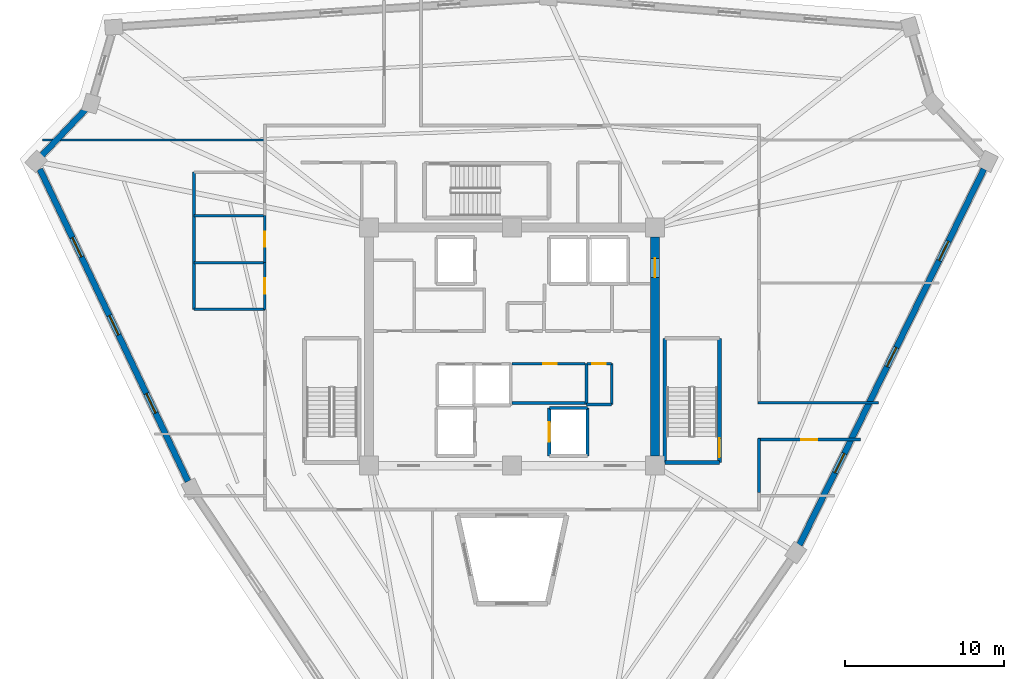
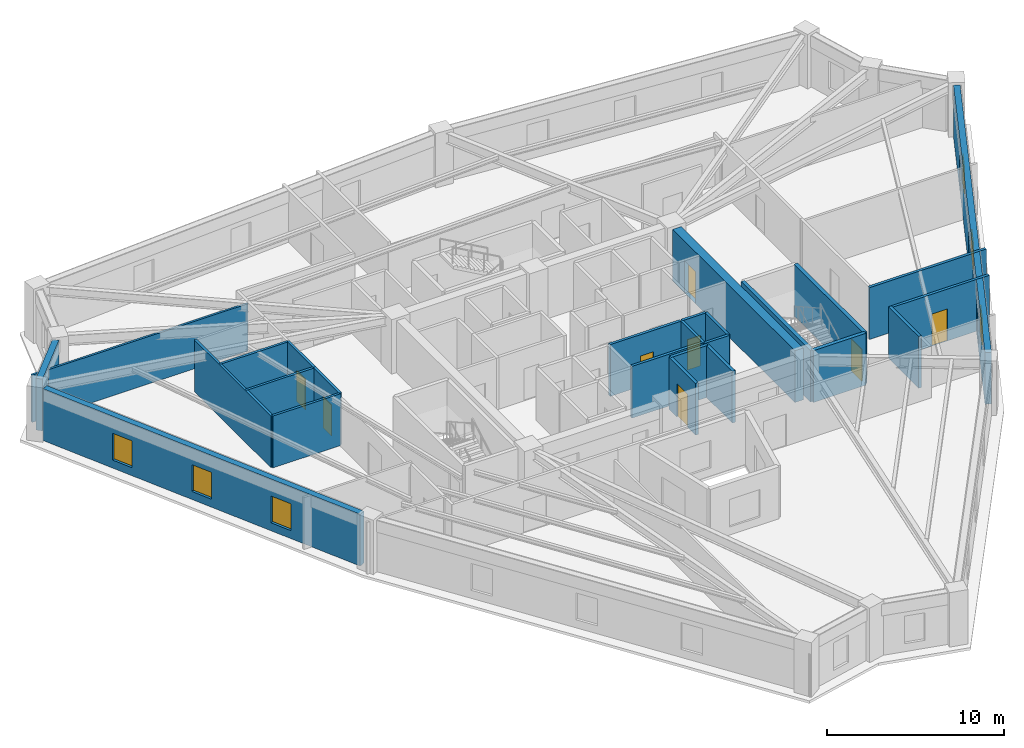
# One storey, part 4 of 8: 26 walls, 8 doors, 6 windows, 14 openings.
"""IFC4 building model written with IfcOpenShell, lengths in metres."""

from ifc_helpers import new_model, si_unit, direction, frame, frame_2d, origin, place, context, subcontext, project, spatial, rectangle, extrude, source, transform, mapped, material, layer, layer_set, type_object, element, fill, save


model = new_model("IFC4")

# Units and contexts
model_context = context("Model", 3, precision=1e-05, world=origin(), true_north=direction((0.0, 1.0)))
body_context = subcontext(model_context, "Body", "Model", "MODEL_VIEW")
ifc_project = project(units=[si_unit("LENGTHUNIT", "METRE"), si_unit("AREAUNIT", "SQUARE_METRE"), si_unit("VOLUMEUNIT", "CUBIC_METRE"), si_unit("PLANEANGLEUNIT", "RADIAN"), si_unit("MASSUNIT", "GRAM", prefix="KILO")], contexts=[model_context])

# Site, building, storey
site_placement = place(None, origin())
site = spatial("IfcSite", under=ifc_project, at=site_placement, CompositionType="ELEMENT")
building_placement = place(site_placement, origin())
building = spatial("IfcBuilding", under=site, at=building_placement, Name="Liaohun Quay Tower", CompositionType="ELEMENT")
storey_placement = place(building_placement, frame((0.0, 0.0, 312.75)))
storey = spatial("IfcBuildingStorey", under=building, at=storey_placement, Name="L81", CompositionType="ELEMENT", Elevation=312.75)

# Wall, opening, door
ifc_material_1 = material(Name="Concrete C50", Category="concrete")
ifc_layer_1 = layer(ifc_material_1, 0.550048828125, Name="Concrete C50", Category="concrete")
ifc_layer_set_1 = layer_set([ifc_layer_1], Name="Concrete C50")
wall_type_1 = type_object("IfcWallType", Name="WAL-COR-Z4", PredefinedType="SHEAR", material=ifc_layer_set_1)
wall_1_placement = place(storey_placement, frame((69.0, 60.89990234375, 0.0), z_axis=(0.0, 0.0, 1.0), x_axis=(0.0, -1.0, 0.0)))
wall_1 = element("IfcWall", 1, at=wall_1_placement, inside=storey, type_object=wall_type_1, Name="L81 Central Core Shear Wall E", PredefinedType="SHEAR", context=body_context, shape_type="SweptSolid", body=[
    extrude(rectangle(XDim=13.7998046875, YDim=0.550048828125, at=frame_2d((6.89990234375, 0.0))), origin(), (0.0, 0.0, 1.0), 3.570068359375),
])
shared_shape_1 = source(origin(), body_context, "Body", "SweptSolid", [
    extrude(rectangle(XDim=1.199951171875, YDim=2.199951171875, at=frame_2d((0.60009765625, 1.10009765625))), frame((0.0, 0.284912109375, 0.0), z_axis=(0.0, -1.0, 0.0), x_axis=(1.0, 0.0, 0.0)), (0.0, 0.0, 1.0), 0.570068359375),
])
opening_1_placement = place(wall_1_placement, frame((1.35009765625, 0.0, 0.0)))
opening_1 = element("IfcOpeningElement", 2, at=opening_1_placement, cuts=wall_1, Name="Opening SD1", PredefinedType="OPENING", context=body_context, shape_type="MappedRepresentation", body=[
    mapped(shared_shape_1, transform((0.0, 0.0, 0.0), x_axis=(1.0, 0.0, 0.0), y_axis=(0.0, 1.0, 0.0), z_axis=(0.0, 0.0, 1.0), scale=1.0)),
])
ifc_material_2 = material(Name="Galvanised steel fire door", Category="steel")
door_type_1 = type_object("IfcDoorType", Name="DOR-STR-1200", OperationType="NOTDEFINED", PredefinedType="DOOR", material=ifc_material_2)
shared_shape_2 = source(origin(), body_context, "Body", "SweptSolid", [
    extrude(rectangle(XDim=1.199951171875, YDim=2.199951171875, at=frame_2d((0.60009765625, 1.10009765625))), frame((0.0, 0.02490234375, 0.0), z_axis=(0.0, -1.0, 0.0), x_axis=(1.0, 0.0, 0.0)), (0.0, 0.0, 1.0), 0.050048828125),
])
door_1_placement = place(opening_1_placement, origin())
door_1 = element("IfcDoor", 3, at=door_1_placement, inside=storey, type_object=door_type_1, Name="L81 North-East Core Lobby Smokeproof Door", OperationType="SINGLE_SWING_LEFT", OverallHeight=2.199951171875, OverallWidth=1.199951171875, PredefinedType="DOOR", context=body_context, shape_type="MappedRepresentation", body=[
    mapped(shared_shape_2, transform((0.0, 0.0, 0.0), x_axis=(1.0, 0.0, 0.0), y_axis=(0.0, 1.0, 0.0), z_axis=(0.0, 0.0, 1.0), scale=1.0)),
])
fill(opening_1, door_1)

# Wall, openings, windows
ifc_material_3 = material(Name="Precast concrete C50 insulated sandwich", Category="concrete")
ifc_layer_2 = layer(ifc_material_3, 0.3798828125, Name="Precast concrete C50 insulated sandwich", Category="concrete")
ifc_layer_set_2 = layer_set([ifc_layer_2], Name="Precast concrete C50 insulated sandwich")
wall_type_2 = type_object("IfcWallType", Name="WAL-EXT-Z34", PredefinedType="SOLIDWALL", material=ifc_layer_set_2)
wall_2_placement = place(storey_placement, frame((78.097900390625, 41.507080078125, 0.0), z_axis=(0.0, 0.0, 1.0), x_axis=(0.440578765421, 0.897713958597, 0.0)))
wall_2 = element("IfcWall", 4, at=wall_2_placement, inside=storey, type_object=wall_type_2, Name="L81 Brutalist Precast Pier Wall 03", PredefinedType="SOLIDWALL", context=body_context, shape_type="SweptSolid", body=[
    extrude(rectangle(XDim=26.36572265625, YDim=0.3798828125, at=frame_2d((13.182861328125, 0.0))), origin(), (0.0, 0.0, 1.0), 3.570068359375),
])
shared_shape_3 = source(origin(), body_context, "Body", "SweptSolid", [
    extrude(rectangle(XDim=1.35009765625, YDim=1.85009765625, at=frame_2d((0.675048828125, 0.925048828125))), frame((0.0, 0.199951171875, 0.0), z_axis=(0.0, -1.0, 0.0), x_axis=(1.0, 0.0, 0.0)), (0.0, 0.0, 1.0), 0.39990234375),
])
opening_2_placement = place(wall_2_placement, frame((5.06591796875, 0.0, 0.550048828125)))
opening_2 = element("IfcOpeningElement", 5, at=opening_2_placement, cuts=wall_2, Name="Opening W04", PredefinedType="OPENING", context=body_context, shape_type="MappedRepresentation", body=[
    mapped(shared_shape_3, transform((0.0, 0.0, 0.0), x_axis=(1.0, 0.0, 0.0), y_axis=(0.0, 1.0, 0.0), z_axis=(0.0, 0.0, 1.0), scale=1.0)),
])
opening_3_placement = place(wall_2_placement, frame((12.508056640625, 0.0, 0.550048828125)))
opening_3 = element("IfcOpeningElement", 6, at=opening_3_placement, cuts=wall_2, Name="Opening W04", PredefinedType="OPENING", context=body_context, shape_type="MappedRepresentation", body=[
    mapped(shared_shape_3, transform((0.0, 0.0, 0.0), x_axis=(1.0, 0.0, 0.0), y_axis=(0.0, 1.0, 0.0), z_axis=(0.0, 0.0, 1.0), scale=1.0)),
])
opening_4_placement = place(wall_2_placement, frame((19.948974609375, 0.0, 0.550048828125)))
opening_4 = element("IfcOpeningElement", 7, at=opening_4_placement, cuts=wall_2, Name="Opening W04", PredefinedType="OPENING", context=body_context, shape_type="MappedRepresentation", body=[
    mapped(shared_shape_3, transform((0.0, 0.0, 0.0), x_axis=(1.0, 0.0, 0.0), y_axis=(0.0, 1.0, 0.0), z_axis=(0.0, 0.0, 1.0), scale=1.0)),
])
ifc_material_4 = material(Name="Triple Low-E argon glazing in thermally broken aluminium", Category="aluminium")
window_type = type_object("IfcWindowType", Name="WIN-PUN-Z4", PartitioningType="SINGLE_PANEL", PredefinedType="WINDOW", material=ifc_material_4)
shared_shape_4 = source(origin(), body_context, "Body", "SweptSolid", [
    extrude(rectangle(XDim=1.35009765625, YDim=1.85009765625, at=frame_2d((0.675048828125, 0.925048828125))), frame((0.0, 0.030029296875, 0.0), z_axis=(0.0, -1.0, 0.0), x_axis=(1.0, 0.0, 0.0)), (0.0, 0.0, 1.0), 0.06005859375),
])
window_1_placement = place(opening_2_placement, origin())
window_1 = element("IfcWindow", 8, at=window_1_placement, inside=storey, type_object=window_type, Name="L81 Recessed Cold-Climate Punched Window 03-1", OverallHeight=1.85009765625, OverallWidth=1.35009765625, PartitioningType="SINGLE_PANEL", PredefinedType="WINDOW", context=body_context, shape_type="MappedRepresentation", body=[
    mapped(shared_shape_4, transform((0.0, 0.0, 0.0), x_axis=(1.0, 0.0, 0.0), y_axis=(0.0, 1.0, 0.0), z_axis=(0.0, 0.0, 1.0), scale=1.0)),
])
fill(opening_2, window_1)
window_2_placement = place(opening_3_placement, origin())
window_2 = element("IfcWindow", 9, at=window_2_placement, inside=storey, type_object=window_type, Name="L81 Recessed Cold-Climate Punched Window 03-2", OverallHeight=1.85009765625, OverallWidth=1.35009765625, PartitioningType="SINGLE_PANEL", PredefinedType="WINDOW", context=body_context, shape_type="MappedRepresentation", body=[
    mapped(shared_shape_4, transform((0.0, 0.0, 0.0), x_axis=(1.0, 0.0, 0.0), y_axis=(0.0, 1.0, 0.0), z_axis=(0.0, 0.0, 1.0), scale=1.0)),
])
fill(opening_3, window_2)
window_3_placement = place(opening_4_placement, origin())
window_3 = element("IfcWindow", 10, at=window_3_placement, inside=storey, type_object=window_type, Name="L81 Recessed Cold-Climate Punched Window 03-3", OverallHeight=1.85009765625, OverallWidth=1.35009765625, PartitioningType="SINGLE_PANEL", PredefinedType="WINDOW", context=body_context, shape_type="MappedRepresentation", body=[
    mapped(shared_shape_4, transform((0.0, 0.0, 0.0), x_axis=(1.0, 0.0, 0.0), y_axis=(0.0, 1.0, 0.0), z_axis=(0.0, 0.0, 1.0), scale=1.0)),
])
fill(opening_4, window_3)

# Wall
wall_3_placement = place(storey_placement, frame((33.135009765625, 68.905029296875, 0.0), z_axis=(0.0, 0.0, 1.0), x_axis=(-0.689384826268, -0.724395307351, 0.0)))
element("IfcWall", 11, at=wall_3_placement, inside=storey, type_object=wall_type_2, Name="L81 Brutalist Precast Pier Wall 09", PredefinedType="SOLIDWALL", context=body_context, shape_type="SweptSolid", body=[
    extrude(rectangle(XDim=3.947021484375, YDim=0.3798828125, at=frame_2d((1.9736328125, 0.0))), origin(), (0.0, 0.0, 1.0), 3.570068359375),
])

# Wall, openings, windows
wall_4_placement = place(storey_placement, frame((30.27294921875, 65.1669921875, 0.0), z_axis=(0.0, 0.0, 1.0), x_axis=(0.428684844901, -0.903454096096, 0.0)))
wall_4 = element("IfcWall", 12, at=wall_4_placement, inside=storey, type_object=wall_type_2, Name="L81 Brutalist Precast Pier Wall 10", PredefinedType="SOLIDWALL", context=body_context, shape_type="SweptSolid", body=[
    extrude(rectangle(XDim=21.757568359375, YDim=0.3798828125, at=frame_2d((10.87890625, 0.0))), origin(), (0.0, 0.0, 1.0), 3.570068359375),
])
opening_5_placement = place(wall_4_placement, frame((4.763916015625, 0.0, 0.550048828125)))
opening_5 = element("IfcOpeningElement", 13, at=opening_5_placement, cuts=wall_4, Name="Opening W04", PredefinedType="OPENING", context=body_context, shape_type="MappedRepresentation", body=[
    mapped(shared_shape_3, transform((0.0, 0.0, 0.0), x_axis=(1.0, 0.0, 0.0), y_axis=(0.0, 1.0, 0.0), z_axis=(0.0, 0.0, 1.0), scale=1.0)),
])
opening_6_placement = place(wall_4_placement, frame((10.2041015625, 0.0, 0.550048828125)))
opening_6 = element("IfcOpeningElement", 14, at=opening_6_placement, cuts=wall_4, Name="Opening W04", PredefinedType="OPENING", context=body_context, shape_type="MappedRepresentation", body=[
    mapped(shared_shape_3, transform((0.0, 0.0, 0.0), x_axis=(1.0, 0.0, 0.0), y_axis=(0.0, 1.0, 0.0), z_axis=(0.0, 0.0, 1.0), scale=1.0)),
])
opening_7_placement = place(wall_4_placement, frame((15.64306640625, 0.0, 0.550048828125)))
opening_7 = element("IfcOpeningElement", 15, at=opening_7_placement, cuts=wall_4, Name="Opening W04", PredefinedType="OPENING", context=body_context, shape_type="MappedRepresentation", body=[
    mapped(shared_shape_3, transform((0.0, 0.0, 0.0), x_axis=(1.0, 0.0, 0.0), y_axis=(0.0, 1.0, 0.0), z_axis=(0.0, 0.0, 1.0), scale=1.0)),
])
window_4_placement = place(opening_5_placement, origin())
window_4 = element("IfcWindow", 16, at=window_4_placement, inside=storey, type_object=window_type, Name="L81 Recessed Cold-Climate Punched Window 10-1", OverallHeight=1.85009765625, OverallWidth=1.35009765625, PartitioningType="SINGLE_PANEL", PredefinedType="WINDOW", context=body_context, shape_type="MappedRepresentation", body=[
    mapped(shared_shape_4, transform((0.0, 0.0, 0.0), x_axis=(1.0, 0.0, 0.0), y_axis=(0.0, 1.0, 0.0), z_axis=(0.0, 0.0, 1.0), scale=1.0)),
])
fill(opening_5, window_4)
window_5_placement = place(opening_6_placement, origin())
window_5 = element("IfcWindow", 17, at=window_5_placement, inside=storey, type_object=window_type, Name="L81 Recessed Cold-Climate Punched Window 10-2", OverallHeight=1.85009765625, OverallWidth=1.35009765625, PartitioningType="SINGLE_PANEL", PredefinedType="WINDOW", context=body_context, shape_type="MappedRepresentation", body=[
    mapped(shared_shape_4, transform((0.0, 0.0, 0.0), x_axis=(1.0, 0.0, 0.0), y_axis=(0.0, 1.0, 0.0), z_axis=(0.0, 0.0, 1.0), scale=1.0)),
])
fill(opening_6, window_5)
window_6_placement = place(opening_7_placement, origin())
window_6 = element("IfcWindow", 18, at=window_6_placement, inside=storey, type_object=window_type, Name="L81 Recessed Cold-Climate Punched Window 10-3", OverallHeight=1.85009765625, OverallWidth=1.35009765625, PartitioningType="SINGLE_PANEL", PredefinedType="WINDOW", context=body_context, shape_type="MappedRepresentation", body=[
    mapped(shared_shape_4, transform((0.0, 0.0, 0.0), x_axis=(1.0, 0.0, 0.0), y_axis=(0.0, 1.0, 0.0), z_axis=(0.0, 0.0, 1.0), scale=1.0)),
])
fill(opening_7, window_6)

# Wall, opening, door
ifc_material_5 = material(Name="Autoclaved aerated concrete blockwork", Category="masonry")
ifc_layer_3 = layer(ifc_material_5, 0.179931640625, Name="Autoclaved aerated concrete blockwork", Category="masonry")
ifc_layer_set_3 = layer_set([ifc_layer_3], Name="Autoclaved aerated concrete blockwork")
wall_type_3 = type_object("IfcWallType", Name="WAL-PRT-COR", PredefinedType="PARTITIONING", material=ifc_layer_set_3)
wall_5_placement = place(storey_placement, frame((60.0, 52.919921875, 0.0), z_axis=(0.0, 0.0, 1.0), x_axis=(1.0, 0.0, 0.0)))
wall_5 = element("IfcWall", 19, at=wall_5_placement, inside=storey, type_object=wall_type_3, Name="L81 Interior Partition Wall 001", PredefinedType="PARTITIONING", context=body_context, shape_type="SweptSolid", body=[
    extrude(rectangle(XDim=4.60009765625, YDim=0.179931640625, at=frame_2d((2.300048828125, 0.0))), origin(), (0.0, 0.0, 1.0), 3.570068359375),
])
shared_shape_5 = source(origin(), body_context, "Body", "SweptSolid", [
    extrude(rectangle(XDim=0.85009765625, YDim=2.10009765625, at=frame_2d((0.425048828125, 1.050048828125))), frame((0.0, 0.099853515625, 0.0), z_axis=(0.0, -1.0, 0.0), x_axis=(1.0, 0.0, 0.0)), (0.0, 0.0, 1.0), 0.199951171875),
])
opening_8_placement = place(wall_5_placement, frame((1.97509765625, 0.0, 0.0)))
opening_8 = element("IfcOpeningElement", 20, at=opening_8_placement, cuts=wall_5, Name="Opening AD1", PredefinedType="OPENING", context=body_context, shape_type="MappedRepresentation", body=[
    mapped(shared_shape_5, transform((0.0, 0.0, 0.0), x_axis=(1.0, 0.0, 0.0), y_axis=(0.0, 1.0, 0.0), z_axis=(0.0, 0.0, 1.0), scale=1.0)),
])
ifc_material_6 = material(Name="Steel riser inspection fire door", Category="steel")
door_type_2 = type_object("IfcDoorType", Name="DOR-SHF-850", OperationType="NOTDEFINED", PredefinedType="DOOR", material=ifc_material_6)
shared_shape_6 = source(origin(), body_context, "Body", "SweptSolid", [
    extrude(rectangle(XDim=0.85009765625, YDim=2.10009765625, at=frame_2d((0.425048828125, 1.050048828125))), frame((0.0, 0.02490234375, 0.0), z_axis=(0.0, -1.0, 0.0), x_axis=(1.0, 0.0, 0.0)), (0.0, 0.0, 1.0), 0.050048828125),
])
door_2_placement = place(opening_8_placement, origin())
door_2 = element("IfcDoor", 21, at=door_2_placement, inside=storey, type_object=door_type_2, Name="L81 Core High-Zone BMS and Switch Room Door", OperationType="SINGLE_SWING_RIGHT", OverallHeight=2.10009765625, OverallWidth=0.85009765625, PredefinedType="DOOR", context=body_context, shape_type="MappedRepresentation", body=[
    mapped(shared_shape_6, transform((0.0, 0.0, 0.0), x_axis=(1.0, 0.0, 0.0), y_axis=(0.0, 1.0, 0.0), z_axis=(0.0, 0.0, 1.0), scale=1.0)),
])
fill(opening_8, door_2)

wall_6_placement = place(storey_placement, frame((64.719970703125, 52.919921875, 0.0), z_axis=(0.0, 0.0, 1.0), x_axis=(1.0, 0.0, 0.0)))
wall_6 = element("IfcWall", 22, at=wall_6_placement, inside=storey, type_object=wall_type_3, Name="L81 Interior Partition Wall 007", PredefinedType="PARTITIONING", context=body_context, shape_type="SweptSolid", body=[
    extrude(rectangle(XDim=1.530029296875, YDim=0.179931640625, at=frame_2d((0.76513671875, 0.0))), origin(), (0.0, 0.0, 1.0), 3.570068359375),
])
opening_9_placement = place(wall_6_placement, frame((0.340087890625, 0.0, 0.0)))
opening_9 = element("IfcOpeningElement", 23, at=opening_9_placement, cuts=wall_6, Name="Opening AD1", PredefinedType="OPENING", context=body_context, shape_type="MappedRepresentation", body=[
    mapped(shared_shape_5, transform((0.0, 0.0, 0.0), x_axis=(1.0, 0.0, 0.0), y_axis=(0.0, 1.0, 0.0), z_axis=(0.0, 0.0, 1.0), scale=1.0)),
])
door_3_placement = place(opening_9_placement, origin())
door_3 = element("IfcDoor", 24, at=door_3_placement, inside=storey, type_object=door_type_2, Name="L81 BMS Data Riser Room Door", OperationType="SINGLE_SWING_RIGHT", OverallHeight=2.10009765625, OverallWidth=0.85009765625, PredefinedType="DOOR", context=body_context, shape_type="MappedRepresentation", body=[
    mapped(shared_shape_6, transform((0.0, 0.0, 0.0), x_axis=(1.0, 0.0, 0.0), y_axis=(0.0, 1.0, 0.0), z_axis=(0.0, 0.0, 1.0), scale=1.0)),
])
fill(opening_9, door_3)

wall_7_placement = place(storey_placement, frame((81.947021484375, 48.139892578125, 0.0), z_axis=(0.0, 0.0, 1.0), x_axis=(-1.0, 0.0, 0.0)))
wall_7 = element("IfcWall", 25, at=wall_7_placement, inside=storey, type_object=wall_type_3, Name="L81 Interior Partition Wall 023", PredefinedType="PARTITIONING", context=body_context, shape_type="SweptSolid", body=[
    extrude(rectangle(XDim=6.45703125, YDim=0.179931640625, at=frame_2d((3.228515625, 0.0))), origin(), (0.0, 0.0, 1.0), 3.570068359375),
])
shared_shape_7 = source(origin(), body_context, "Body", "SweptSolid", [
    extrude(rectangle(XDim=1.0, YDim=2.199951171875, at=frame_2d((0.5, 1.10009765625))), frame((0.0, 0.099853515625, 0.0), z_axis=(0.0, -1.0, 0.0), x_axis=(1.0, 0.0, 0.0)), (0.0, 0.0, 1.0), 0.199951171875),
])
opening_10_placement = place(wall_7_placement, frame((2.72900390625, 0.0, 0.0)))
opening_10 = element("IfcOpeningElement", 26, at=opening_10_placement, cuts=wall_7, Name="Opening OD1", PredefinedType="OPENING", context=body_context, shape_type="MappedRepresentation", body=[
    mapped(shared_shape_7, transform((0.0, 0.0, 0.0), x_axis=(1.0, 0.0, 0.0), y_axis=(0.0, 1.0, 0.0), z_axis=(0.0, 0.0, 1.0), scale=1.0)),
])
ifc_material_7 = material(Name="Solid-core oak veneer timber leaf in steel frame", Category="steel")
door_type_3 = type_object("IfcDoorType", Name="DOR-OFF-1000", OperationType="NOTDEFINED", PredefinedType="DOOR", material=ifc_material_7)
shared_shape_8 = source(origin(), body_context, "Body", "SweptSolid", [
    extrude(rectangle(XDim=1.0, YDim=2.199951171875, at=frame_2d((0.5, 1.10009765625))), frame((0.0, 0.02490234375, 0.0), z_axis=(0.0, -1.0, 0.0), x_axis=(1.0, 0.0, 0.0)), (0.0, 0.0, 1.0), 0.050048828125),
])
door_4_placement = place(opening_10_placement, origin())
door_4 = element("IfcDoor", 27, at=door_4_placement, inside=storey, type_object=door_type_3, Name="L81 Records Archive Store 09 Door", OperationType="SINGLE_SWING_RIGHT", OverallHeight=2.199951171875, OverallWidth=1.0, PredefinedType="DOOR", context=body_context, shape_type="MappedRepresentation", body=[
    mapped(shared_shape_8, transform((0.0, 0.0, 0.0), x_axis=(1.0, 0.0, 0.0), y_axis=(0.0, 1.0, 0.0), z_axis=(0.0, 0.0, 1.0), scale=1.0)),
])
fill(opening_10, door_4)

# Walls
wall_8_placement = place(storey_placement, frame((64.68994140625, 50.35009765625, 0.0), z_axis=(0.0, 0.0, 1.0), x_axis=(0.0, 1.0, 0.0)))
element("IfcWall", 28, at=wall_8_placement, inside=storey, type_object=wall_type_3, Name="L81 Interior Partition Wall 029", PredefinedType="PARTITIONING", context=body_context, shape_type="SweptSolid", body=[
    extrude(rectangle(XDim=2.56982421875, YDim=0.179931640625, at=frame_2d((1.284912109375, 0.0))), origin(), (0.0, 0.0, 1.0), 3.570068359375),
])
wall_9_placement = place(storey_placement, frame((64.68994140625, 50.35009765625, 0.0), z_axis=(0.0, 0.0, 1.0), x_axis=(1.0, 0.0, 0.0)))
element("IfcWall", 29, at=wall_9_placement, inside=storey, type_object=wall_type_3, Name="L81 Interior Partition Wall 030", PredefinedType="PARTITIONING", context=body_context, shape_type="SweptSolid", body=[
    extrude(rectangle(XDim=1.590087890625, YDim=0.179931640625, at=frame_2d((0.794921875, 0.0))), origin(), (0.0, 0.0, 1.0), 3.570068359375),
])
wall_10_placement = place(storey_placement, frame((66.280029296875, 50.35009765625, 0.0), z_axis=(0.0, 0.0, 1.0), x_axis=(0.0, 1.0, 0.0)))
element("IfcWall", 30, at=wall_10_placement, inside=storey, type_object=wall_type_3, Name="L81 Interior Partition Wall 031", PredefinedType="PARTITIONING", context=body_context, shape_type="SweptSolid", body=[
    extrude(rectangle(XDim=2.56982421875, YDim=0.179931640625, at=frame_2d((1.284912109375, 0.0))), origin(), (0.0, 0.0, 1.0), 3.570068359375),
])
wall_11_placement = place(storey_placement, frame((75.489990234375, 50.4599609375, 0.0), z_axis=(0.0, 0.0, 1.0), x_axis=(1.0, 0.0, 0.0)))
element("IfcWall", 31, at=wall_11_placement, inside=storey, type_object=wall_type_3, Name="L81 Interior Partition Wall 041", PredefinedType="PARTITIONING", context=body_context, shape_type="SweptSolid", body=[
    extrude(rectangle(XDim=7.594970703125, YDim=0.179931640625, at=frame_2d((3.79736328125, 0.0))), origin(), (0.0, 0.0, 1.0), 3.570068359375),
])
wall_12_placement = place(storey_placement, frame((75.56005859375, 48.2099609375, 0.0), z_axis=(0.0, 0.0, 1.0), x_axis=(0.0, -1.0, 0.0)))
element("IfcWall", 32, at=wall_12_placement, inside=storey, type_object=wall_type_3, Name="L81 Interior Partition Wall 049", PredefinedType="PARTITIONING", context=body_context, shape_type="SweptSolid", body=[
    extrude(rectangle(XDim=3.39501953125, YDim=0.179931640625, at=frame_2d((1.697509765625, 0.0))), origin(), (0.0, 0.0, 1.0), 3.570068359375),
])
wall_13_placement = place(storey_placement, frame((60.0, 50.449951171875, 0.0), z_axis=(0.0, 0.0, 1.0), x_axis=(1.0, 0.0, 0.0)))
element("IfcWall", 33, at=wall_13_placement, inside=storey, type_object=wall_type_3, Name="L81 Interior Partition Wall 057", PredefinedType="PARTITIONING", context=body_context, shape_type="SweptSolid", body=[
    extrude(rectangle(XDim=4.60009765625, YDim=0.179931640625, at=frame_2d((2.300048828125, 0.0))), origin(), (0.0, 0.0, 1.0), 3.570068359375),
])
ifc_material_8 = material(Name="Gypsum board on twin steel studs", Category="steel")
ifc_layer_4 = layer(ifc_material_8, 0.139892578125, Name="Gypsum board on twin steel studs", Category="steel")
ifc_layer_set_4 = layer_set([ifc_layer_4], Name="Gypsum board on twin steel studs")
wall_type_4 = type_object("IfcWallType", Name="WAL-PRT-OFF", PredefinedType="PARTITIONING", material=ifc_layer_set_4)
wall_14_placement = place(storey_placement, frame((44.5400390625, 67.0, 0.0), z_axis=(0.0, 0.0, 1.0), x_axis=(-1.0, 0.0, 0.0)))
element("IfcWall", 34, at=wall_14_placement, inside=storey, type_object=wall_type_4, Name="L81 Interior Partition Wall 052", PredefinedType="PARTITIONING", context=body_context, shape_type="SweptSolid", body=[
    extrude(rectangle(XDim=14.087158203125, YDim=0.139892578125, at=frame_2d((7.04345703125, 0.0))), origin(), (0.0, 0.0, 1.0), 3.260986328125),
])

# Wall, opening, door
ifc_material_9 = material(Name="Moisture-resistant masonry blockwork", Category="masonry")
ifc_layer_5 = layer(ifc_material_9, 0.159912109375, Name="Moisture-resistant masonry blockwork", Category="masonry")
ifc_layer_set_5 = layer_set([ifc_layer_5], Name="Moisture-resistant masonry blockwork")
wall_type_5 = type_object("IfcWallType", Name="WAL-PRT-WET", PredefinedType="PARTITIONING", material=ifc_layer_set_5)
wall_15_placement = place(storey_placement, frame((44.43994140625, 56.340087890625, 0.0), z_axis=(0.0, 0.0, 1.0), x_axis=(0.0, 1.0, 0.0)))
wall_15 = element("IfcWall", 35, at=wall_15_placement, inside=storey, type_object=wall_type_5, Name="L81 Interior Partition Wall 008", PredefinedType="PARTITIONING", context=body_context, shape_type="SweptSolid", body=[
    extrude(rectangle(XDim=2.93994140625, YDim=0.159912109375, at=frame_2d((1.469970703125, 0.0))), origin(), (0.0, 0.0, 1.0), 3.570068359375),
])
shared_shape_9 = source(origin(), body_context, "Body", "SweptSolid", [
    extrude(rectangle(XDim=0.949951171875, YDim=2.14990234375, at=frame_2d((0.47509765625, 1.074951171875))), frame((0.0, 0.08984375, 0.0), z_axis=(0.0, -1.0, 0.0), x_axis=(1.0, 0.0, 0.0)), (0.0, 0.0, 1.0), 0.179931640625),
])
opening_11_placement = place(wall_15_placement, frame((0.9951171875, 0.0, 0.0)))
opening_11 = element("IfcOpeningElement", 36, at=opening_11_placement, cuts=wall_15, Name="Opening WD1", PredefinedType="OPENING", context=body_context, shape_type="MappedRepresentation", body=[
    mapped(shared_shape_9, transform((0.0, 0.0, 0.0), x_axis=(1.0, 0.0, 0.0), y_axis=(0.0, 1.0, 0.0), z_axis=(0.0, 0.0, 1.0), scale=1.0)),
])
ifc_material_10 = material(Name="Moisture-resistant laminate timber leaf", Category="wood")
door_type_4 = type_object("IfcDoorType", Name="DOR-WC-950", OperationType="NOTDEFINED", PredefinedType="DOOR", material=ifc_material_10)
shared_shape_10 = source(origin(), body_context, "Body", "SweptSolid", [
    extrude(rectangle(XDim=0.949951171875, YDim=2.14990234375, at=frame_2d((0.47509765625, 1.074951171875))), frame((0.0, 0.02490234375, 0.0), z_axis=(0.0, -1.0, 0.0), x_axis=(1.0, 0.0, 0.0)), (0.0, 0.0, 1.0), 0.050048828125),
])
door_5_placement = place(opening_11_placement, origin())
door_5 = element("IfcDoor", 37, at=door_5_placement, inside=storey, type_object=door_type_4, Name="L81 Male Restroom WC Door", OperationType="SINGLE_SWING_LEFT", OverallHeight=2.14990234375, OverallWidth=0.949951171875, PredefinedType="DOOR", context=body_context, shape_type="MappedRepresentation", body=[
    mapped(shared_shape_10, transform((0.0, 0.0, 0.0), x_axis=(1.0, 0.0, 0.0), y_axis=(0.0, 1.0, 0.0), z_axis=(0.0, 0.0, 1.0), scale=1.0)),
])
fill(opening_11, door_5)

wall_16_placement = place(storey_placement, frame((44.43994140625, 59.280029296875, 0.0), z_axis=(0.0, 0.0, 1.0), x_axis=(0.0, 1.0, 0.0)))
wall_16 = element("IfcWall", 38, at=wall_16_placement, inside=storey, type_object=wall_type_5, Name="L81 Interior Partition Wall 009", PredefinedType="PARTITIONING", context=body_context, shape_type="SweptSolid", body=[
    extrude(rectangle(XDim=2.9599609375, YDim=0.159912109375, at=frame_2d((1.47998046875, 0.0))), origin(), (0.0, 0.0, 1.0), 3.570068359375),
])
opening_12_placement = place(wall_16_placement, frame((1.0048828125, 0.0, 0.0)))
opening_12 = element("IfcOpeningElement", 39, at=opening_12_placement, cuts=wall_16, Name="Opening WD1", PredefinedType="OPENING", context=body_context, shape_type="MappedRepresentation", body=[
    mapped(shared_shape_9, transform((0.0, 0.0, 0.0), x_axis=(1.0, 0.0, 0.0), y_axis=(0.0, 1.0, 0.0), z_axis=(0.0, 0.0, 1.0), scale=1.0)),
])
door_6_placement = place(opening_12_placement, origin())
door_6 = element("IfcDoor", 40, at=door_6_placement, inside=storey, type_object=door_type_4, Name="L81 Female Restroom WC Door", OperationType="SINGLE_SWING_RIGHT", OverallHeight=2.14990234375, OverallWidth=0.949951171875, PredefinedType="DOOR", context=body_context, shape_type="MappedRepresentation", body=[
    mapped(shared_shape_10, transform((0.0, 0.0, 0.0), x_axis=(1.0, 0.0, 0.0), y_axis=(0.0, 1.0, 0.0), z_axis=(0.0, 0.0, 1.0), scale=1.0)),
])
fill(opening_12, door_6)

# Walls
wall_17_placement = place(storey_placement, frame((39.97998046875, 56.340087890625, 0.0), z_axis=(0.0, 0.0, 1.0), x_axis=(0.0, 1.0, 0.0)))
element("IfcWall", 41, at=wall_17_placement, inside=storey, type_object=wall_type_5, Name="L81 Interior Partition Wall 032", PredefinedType="PARTITIONING", context=body_context, shape_type="SweptSolid", body=[
    extrude(rectangle(XDim=8.639892578125, YDim=0.159912109375, at=frame_2d((4.31982421875, 0.0))), origin(), (0.0, 0.0, 1.0), 3.570068359375),
])
for number, where, z_axis, x_axis, name in (
    (42, (39.97998046875, 56.340087890625, 0.0), (0.0, 0.0, 1.0), (1.0, 0.0, 0.0), "L81 Interior Partition Wall 033"),
    (43, (39.97998046875, 59.280029296875, 0.0), (0.0, 0.0, 1.0), (1.0, 0.0, 0.0), "L81 Interior Partition Wall 034"),
    (44, (39.97998046875, 62.239990234375, 0.0), (0.0, 0.0, 1.0), (1.0, 0.0, 0.0), "L81 Interior Partition Wall 035"),
):
    element("IfcWall", number, at=place(storey_placement, frame(where, z_axis=z_axis, x_axis=x_axis)), inside=storey, type_object=wall_type_5, Name=name, PredefinedType="PARTITIONING", context=body_context, shape_type="SweptSolid", body=[
        extrude(rectangle(XDim=4.4599609375, YDim=0.159912109375, at=frame_2d((2.22998046875, 0.0))), origin(), (0.0, 0.0, 1.0), 3.570068359375),
    ])
ifc_layer_6 = layer(ifc_material_1, 0.239990234375, Name="Concrete C50", Category="concrete")
ifc_layer_set_6 = layer_set([ifc_layer_6], Name="Concrete C50")
wall_type_6 = type_object("IfcWallType", Name="WAL-SHF-200", PredefinedType="SOLIDWALL", material=ifc_layer_set_6)
wall_18_placement = place(storey_placement, frame((69.6201171875, 46.699951171875, 0.0), z_axis=(0.0, 0.0, 1.0), x_axis=(1.0, 0.0, 0.0)))
element("IfcWall", 45, at=wall_18_placement, inside=storey, type_object=wall_type_6, Name="L81 Stairwell ST-2 Structural Core Wall S", PredefinedType="SOLIDWALL", context=body_context, shape_type="SweptSolid", body=[
    extrude(rectangle(XDim=3.43994140625, YDim=0.239990234375, at=frame_2d((1.719970703125, 0.0))), origin(), (0.0, 0.0, 1.0), 3.570068359375),
])

# Wall, opening, door
wall_19_placement = place(storey_placement, frame((73.06005859375, 46.699951171875, 0.0), z_axis=(0.0, 0.0, 1.0), x_axis=(0.0, 1.0, 0.0)))
wall_19 = element("IfcWall", 46, at=wall_19_placement, inside=storey, type_object=wall_type_6, Name="L81 Stairwell ST-2 Structural Core Wall E", PredefinedType="SOLIDWALL", context=body_context, shape_type="SweptSolid", body=[
    extrude(rectangle(XDim=7.820068359375, YDim=0.239990234375, at=frame_2d((3.91015625, 0.0))), origin(), (0.0, 0.0, 1.0), 3.570068359375),
])
shared_shape_11 = source(origin(), body_context, "Body", "SweptSolid", [
    extrude(rectangle(XDim=1.199951171875, YDim=2.199951171875, at=frame_2d((0.60009765625, 1.10009765625))), frame((0.0, 0.1298828125, 0.0), z_axis=(0.0, -1.0, 0.0), x_axis=(1.0, 0.0, 0.0)), (0.0, 0.0, 1.0), 0.260009765625),
])
opening_13_placement = place(wall_19_placement, frame((0.320068359375, 0.0, 0.0)))
opening_13 = element("IfcOpeningElement", 47, at=opening_13_placement, cuts=wall_19, Name="Opening SD1", PredefinedType="OPENING", context=body_context, shape_type="MappedRepresentation", body=[
    mapped(shared_shape_11, transform((0.0, 0.0, 0.0), x_axis=(1.0, 0.0, 0.0), y_axis=(0.0, 1.0, 0.0), z_axis=(0.0, 0.0, 1.0), scale=1.0)),
])
door_7_placement = place(opening_13_placement, origin())
door_7 = element("IfcDoor", 48, at=door_7_placement, inside=storey, type_object=door_type_1, Name="L81 Protected Stair ST-2 Fire Door", OperationType="SINGLE_SWING_RIGHT", OverallHeight=2.199951171875, OverallWidth=1.199951171875, PredefinedType="DOOR", context=body_context, shape_type="MappedRepresentation", body=[
    mapped(shared_shape_2, transform((0.0, 0.0, 0.0), x_axis=(1.0, 0.0, 0.0), y_axis=(0.0, 1.0, 0.0), z_axis=(0.0, 0.0, 1.0), scale=1.0)),
])
fill(opening_13, door_7)

# Walls
wall_20_placement = place(storey_placement, frame((69.6201171875, 54.52001953125, 0.0), z_axis=(0.0, 0.0, 1.0), x_axis=(0.0, -1.0, 0.0)))
element("IfcWall", 49, at=wall_20_placement, inside=storey, type_object=wall_type_6, Name="L81 Stairwell ST-2 Structural Core Wall W", PredefinedType="SOLIDWALL", context=body_context, shape_type="SweptSolid", body=[
    extrude(rectangle(XDim=7.820068359375, YDim=0.239990234375, at=frame_2d((3.91015625, 0.0))), origin(), (0.0, 0.0, 1.0), 3.570068359375),
])
wall_21_placement = place(storey_placement, frame((64.75, 47.1201171875, 0.0), z_axis=(0.0, 0.0, 1.0), x_axis=(0.0, 1.0, 0.0)))
element("IfcWall", 50, at=wall_21_placement, inside=storey, type_object=wall_type_6, Name="L81 Lift FF-02 Hoistway Wall E", PredefinedType="SOLIDWALL", context=body_context, shape_type="SweptSolid", body=[
    extrude(rectangle(XDim=3.0, YDim=0.199951171875, at=frame_2d((1.5, 0.0))), origin(), (0.0, 0.0, 1.0), 3.570068359375),
])
wall_22_placement = place(storey_placement, frame((64.75, 50.1201171875, 0.0), z_axis=(0.0, 0.0, 1.0), x_axis=(-1.0, 0.0, 0.0)))
element("IfcWall", 51, at=wall_22_placement, inside=storey, type_object=wall_type_6, Name="L81 Lift FF-02 Hoistway Wall N", PredefinedType="SOLIDWALL", context=body_context, shape_type="SweptSolid", body=[
    extrude(rectangle(XDim=2.39990234375, YDim=0.199951171875, at=frame_2d((1.199951171875, 0.0))), origin(), (0.0, 0.0, 1.0), 3.570068359375),
])

# Wall, opening, door
wall_23_placement = place(storey_placement, frame((62.35009765625, 50.1201171875, 0.0), z_axis=(0.0, 0.0, 1.0), x_axis=(0.0, -1.0, 0.0)))
wall_23 = element("IfcWall", 52, at=wall_23_placement, inside=storey, type_object=wall_type_6, Name="L81 Lift FF-02 Hoistway Wall W", PredefinedType="SOLIDWALL", context=body_context, shape_type="SweptSolid", body=[
    extrude(rectangle(XDim=3.0, YDim=0.199951171875, at=frame_2d((1.5, 0.0))), origin(), (0.0, 0.0, 1.0), 3.570068359375),
])
shared_shape_12 = source(origin(), body_context, "Body", "SweptSolid", [
    extrude(rectangle(XDim=1.199951171875, YDim=2.300048828125, at=frame_2d((0.60009765625, 1.14990234375))), frame((0.0, 0.10986328125, 0.0), z_axis=(0.0, -1.0, 0.0), x_axis=(1.0, 0.0, 0.0)), (0.0, 0.0, 1.0), 0.219970703125),
])
opening_14_placement = place(wall_23_placement, frame((0.89990234375, 0.0, 0.0)))
opening_14 = element("IfcOpeningElement", 53, at=opening_14_placement, cuts=wall_23, Name="Opening LD2", PredefinedType="OPENING", context=body_context, shape_type="MappedRepresentation", body=[
    mapped(shared_shape_12, transform((0.0, 0.0, 0.0), x_axis=(1.0, 0.0, 0.0), y_axis=(0.0, 1.0, 0.0), z_axis=(0.0, 0.0, 1.0), scale=1.0)),
])
ifc_material_11 = material(Name="Brushed stainless steel stretcher landing door", Category="steel")
door_type_5 = type_object("IfcDoorType", Name="DOR-LFT-1200", OperationType="SLIDING_TO_LEFT", PredefinedType="DOOR", material=ifc_material_11)
shared_shape_13 = source(origin(), body_context, "Body", "SweptSolid", [
    extrude(rectangle(XDim=1.199951171875, YDim=2.300048828125, at=frame_2d((0.60009765625, 1.14990234375))), frame((0.0, 0.02490234375, 0.0), z_axis=(0.0, -1.0, 0.0), x_axis=(1.0, 0.0, 0.0)), (0.0, 0.0, 1.0), 0.050048828125),
])
door_8_placement = place(opening_14_placement, origin())
door_8 = element("IfcDoor", 54, at=door_8_placement, inside=storey, type_object=door_type_5, Name="L81 Lift FF-02 Sliding Landing Door", OperationType="SLIDING_TO_LEFT", OverallHeight=2.300048828125, OverallWidth=1.199951171875, PredefinedType="DOOR", context=body_context, shape_type="MappedRepresentation", body=[
    mapped(shared_shape_13, transform((0.0, 0.0, 0.0), x_axis=(1.0, 0.0, 0.0), y_axis=(0.0, 1.0, 0.0), z_axis=(0.0, 0.0, 1.0), scale=1.0)),
])
fill(opening_14, door_8)

save(model, "model.ifc")
